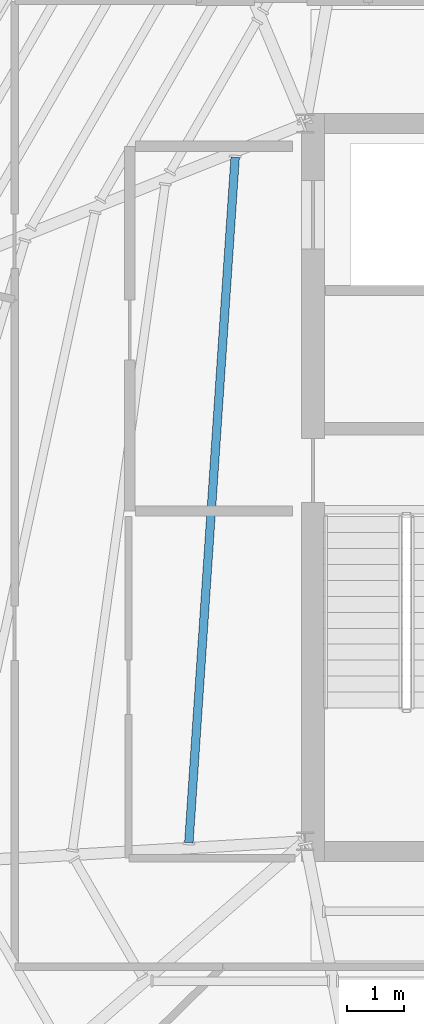
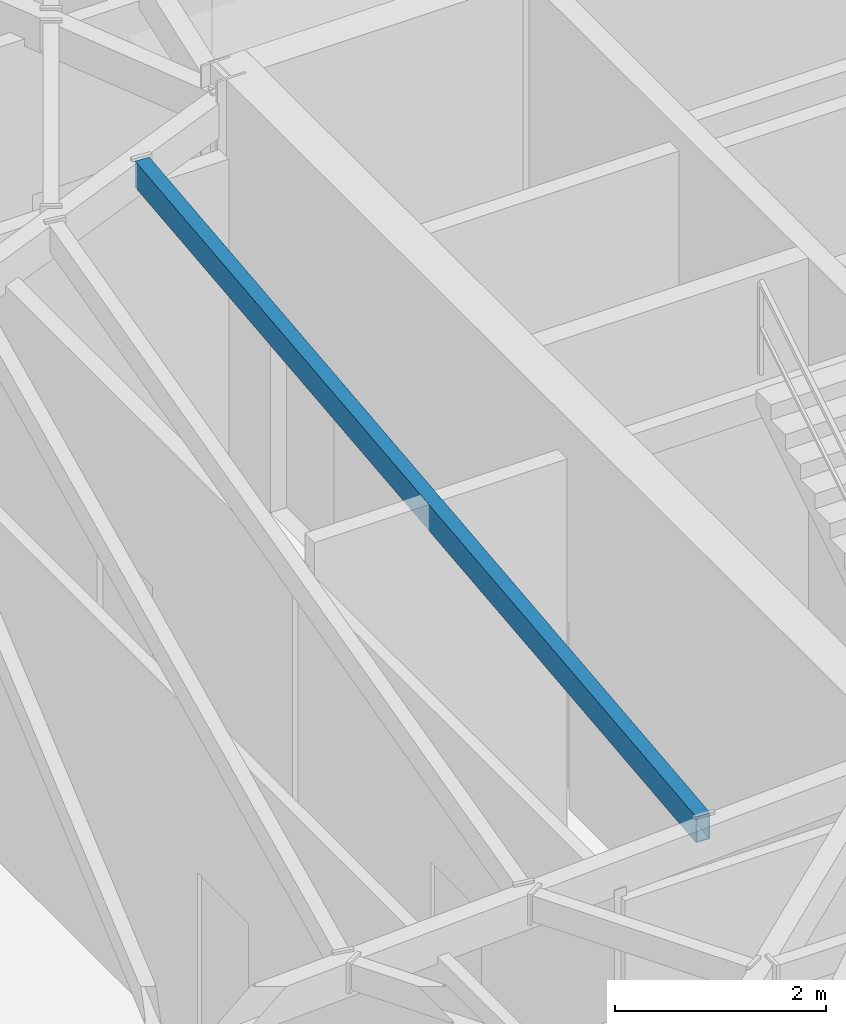
# One storey, part 12 of 37: 1 beam.
"""IFC4 building model written with IfcOpenShell, lengths in metres."""

from ifc_helpers import new_model, si_unit, direction, frame, origin, origin_2d, place, context, subcontext, project, spatial, hollow_rectangle, extrude, source, transform, mapped, material, material_profile, profile_set, type_object, type_shapes, element, save


model = new_model("IFC4")

# Units and contexts
model_context = context("Model", 3, precision=1e-05, world=origin(), true_north=direction((0.0, 1.0)))
body_context = subcontext(model_context, "Body", "Model", "MODEL_VIEW")
ifc_project = project(units=[si_unit("LENGTHUNIT", "METRE"), si_unit("AREAUNIT", "SQUARE_METRE"), si_unit("VOLUMEUNIT", "CUBIC_METRE"), si_unit("PLANEANGLEUNIT", "RADIAN"), si_unit("MASSUNIT", "GRAM", prefix="KILO")], contexts=[model_context])

# Site, building, storey
site_placement = place(None, origin())
site = spatial("IfcSite", under=ifc_project, at=site_placement, CompositionType="ELEMENT")
building_placement = place(site_placement, origin())
building = spatial("IfcBuilding", under=site, at=building_placement, Name="Caelisora Broadcast Tower", CompositionType="ELEMENT")
storey_placement = place(building_placement, frame((0.0, 0.0, 225.35009765625)))
storey = spatial("IfcBuildingStorey", under=building, at=storey_placement, Name="L59", CompositionType="ELEMENT", Elevation=225.35009765625)

# Beam
ifc_material = material(Name="Steel Grade 350 (AS/NZS 1163 C350L0)", Category="steel")
ifc_material_profile = material_profile(ifc_material, hollow_rectangle(XDim=0.14990234375, YDim=0.300048828125, WallThickness=0.010009765625, at=origin_2d()), Name="Steel Grade 350 (AS/NZS 1163 C350L0)")
ifc_profile_set = profile_set([ifc_material_profile], Name="Steel Grade 350 (AS/NZS 1163 C350L0)")
beam_type = type_object("IfcBeamType", Name="SB05", PredefinedType="JOIST", material=ifc_profile_set)
shared_shape = source(origin(), body_context, "Body", "SweptSolid", [
    extrude(hollow_rectangle(XDim=0.14990234375, YDim=0.300048828125, WallThickness=0.010009765625, at=origin_2d()), origin(), (0.0, 0.0, 1.0), 12.0537109375),
])
type_shapes(beam_type, [shared_shape])
beam_placement = place(storey_placement, frame((29.27099609375, 29.40478515625, 4.099853515625), z_axis=(-0.067406229039, -0.997725613727, 0.0), x_axis=(0.997725613727, -0.067406229039, 0.0)))
element("IfcBeam", 1, at=beam_placement, inside=storey, type_object=beam_type, Name="L59 beam SB05", PredefinedType="JOIST", context=body_context, shape_type="MappedRepresentation", body=[
    mapped(shared_shape, transform((0.0, 0.0, 0.0), scale=1.0)),
])

save(model, "model.ifc")
